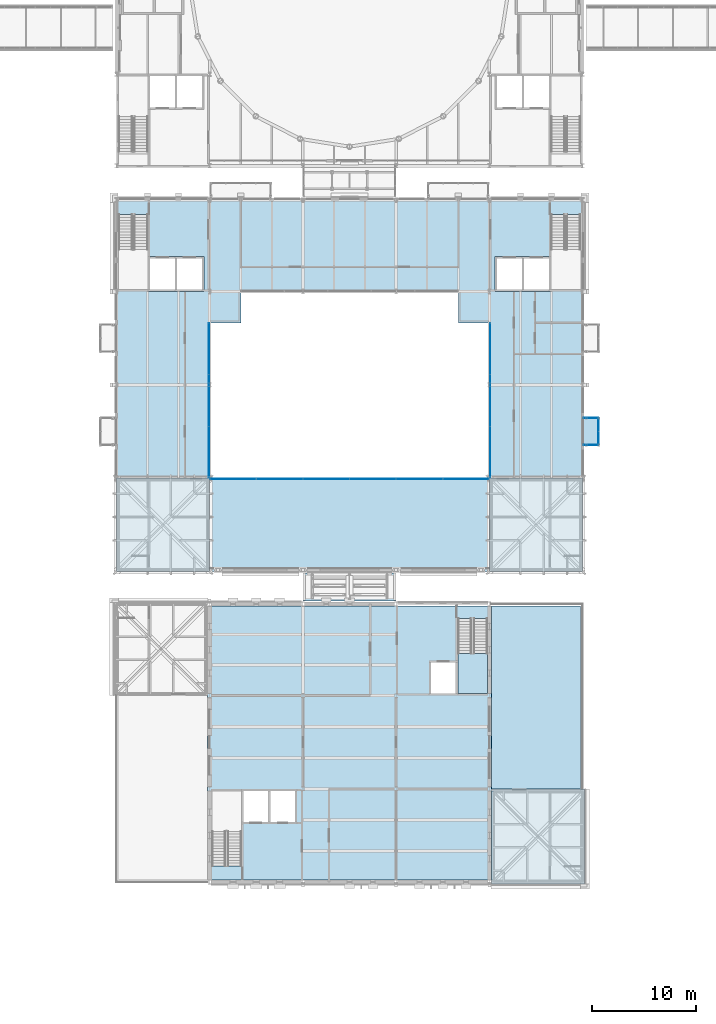
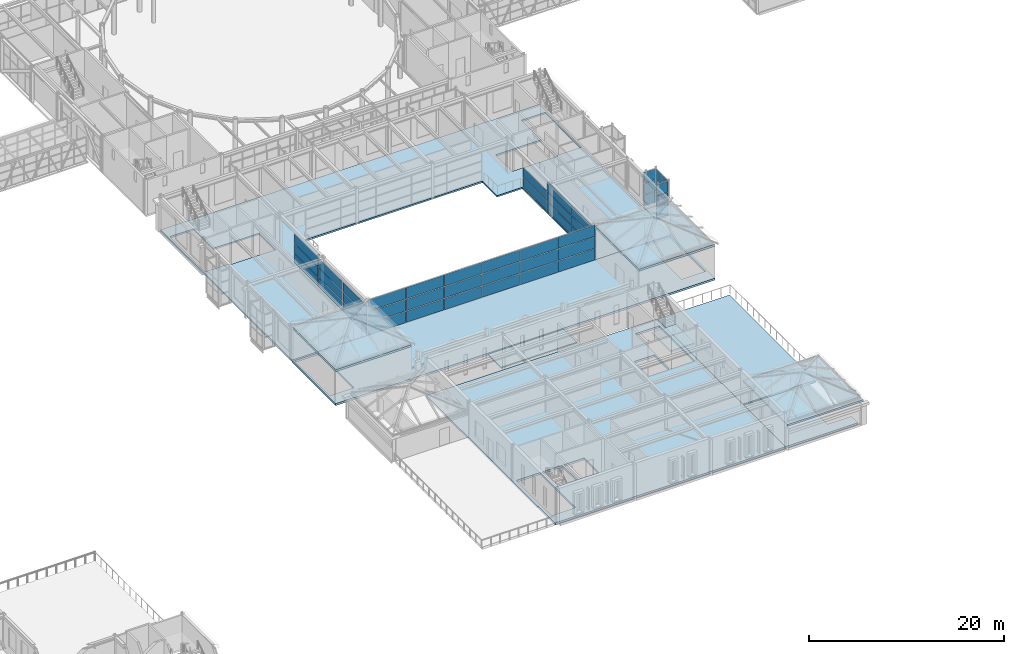
# One storey, part 77 of 149: 47 plates, 11 slabs, 7 elements without a shape of their own.
"""IFC4 building model written with IfcOpenShell, lengths in metres."""

from ifc_helpers import new_model, si_unit, direction, frame, origin, origin_2d, place, context, subcontext, project, spatial, polyline, rectangle, outline, extrude, material, layer, layer_set, type_object, element, aggregate, save


model = new_model("IFC4")

# Units and contexts
model_context = context("Model", 3, precision=1e-05, world=origin(), true_north=direction((0.0, 1.0)))
body_context = subcontext(model_context, "Body", "Model", "MODEL_VIEW")
ifc_project = project(units=[si_unit("LENGTHUNIT", "METRE"), si_unit("AREAUNIT", "SQUARE_METRE"), si_unit("VOLUMEUNIT", "CUBIC_METRE"), si_unit("PLANEANGLEUNIT", "RADIAN"), si_unit("MASSUNIT", "GRAM", prefix="KILO")], contexts=[model_context])

# Site, building, storey
site_placement = place(None, origin())
site = spatial("IfcSite", under=ifc_project, at=site_placement, CompositionType="ELEMENT")
building_placement = place(site_placement, origin())
building = spatial("IfcBuilding", under=site, at=building_placement, Name="Kallimachos Central Library", CompositionType="ELEMENT")
storey_placement = place(building_placement, frame((0.0, 0.0, 9.89990234375)))
storey = spatial("IfcBuildingStorey", under=building, at=storey_placement, Name="L02", CompositionType="ELEMENT", Elevation=9.89990234375)

# Curtain wall, plates
ifc_material_1 = material(Name="Aluminium and laminated glass", Category="aluminium")
curtain_wall_type_1 = type_object("IfcCurtainWallType", Name="Atrium glazed screen", PredefinedType="NOTDEFINED", material=ifc_material_1)
curtain_wall_1_placement = place(storey_placement, origin())
curtain_wall_1 = element("IfcCurtainWall", 1, at=curtain_wall_1_placement, inside=storey, type_object=curtain_wall_type_1, Name="L02 atrium screen S", PredefinedType="NOTDEFINED")
ifc_material_2 = material(Name="Laminated glass", Category="glass")
ifc_layer_1 = layer(ifc_material_2, 0.028076171875)
ifc_layer_set_1 = layer_set([ifc_layer_1], Name="Atrium screen glass panel")
plate_type_1 = type_object("IfcPlateType", Name="Atrium screen glass panel", PredefinedType="CURTAIN_PANEL", material=ifc_layer_set_1)
plate_1_placement = place(storey_placement, frame((76.764892578125, 56.919921875, 0.06005859375), z_axis=(0.0, 0.0, 1.0), x_axis=(1.0, 0.0, 0.0)))
plate_1 = element("IfcPlate", 2, at=plate_1_placement, type_object=plate_type_1, Name="CW panel 1.1", PredefinedType="CURTAIN_PANEL", context=body_context, shape_type="SweptSolid", body=[
    extrude(rectangle(XDim=4.409912109375, YDim=0.028076171875, at=origin_2d()), origin(), (0.0, 0.0, 1.0), 1.409912109375),
])
plate_2_placement = place(storey_placement, frame((76.764892578125, 56.919921875, 1.530029296875), z_axis=(0.0, 0.0, 1.0), x_axis=(1.0, 0.0, 0.0)))
plate_2 = element("IfcPlate", 3, at=plate_2_placement, type_object=plate_type_1, Name="CW panel 1.2", PredefinedType="CURTAIN_PANEL", context=body_context, shape_type="SweptSolid", body=[
    extrude(rectangle(XDim=4.409912109375, YDim=0.028076171875, at=origin_2d()), origin(), (0.0, 0.0, 1.0), 1.43994140625),
])
plate_3_placement = place(storey_placement, frame((76.764892578125, 56.919921875, 3.0302734375), z_axis=(0.0, 0.0, 1.0), x_axis=(1.0, 0.0, 0.0)))
plate_3 = element("IfcPlate", 4, at=plate_3_placement, type_object=plate_type_1, Name="CW panel 1.3", PredefinedType="CURTAIN_PANEL", context=body_context, shape_type="SweptSolid", body=[
    extrude(rectangle(XDim=4.409912109375, YDim=0.028076171875, at=origin_2d()), origin(), (0.0, 0.0, 1.0), 1.409912109375),
])
plate_4_placement = place(storey_placement, frame((81.25, 56.919921875, 0.06005859375), z_axis=(0.0, 0.0, 1.0), x_axis=(1.0, 0.0, 0.0)))
plate_4 = element("IfcPlate", 5, at=plate_4_placement, type_object=plate_type_1, Name="CW panel 2.1", PredefinedType="CURTAIN_PANEL", context=body_context, shape_type="SweptSolid", body=[
    extrude(rectangle(XDim=4.43994140625, YDim=0.028076171875, at=origin_2d()), origin(), (0.0, 0.0, 1.0), 1.409912109375),
])
plate_5_placement = place(storey_placement, frame((81.25, 56.919921875, 1.530029296875), z_axis=(0.0, 0.0, 1.0), x_axis=(1.0, 0.0, 0.0)))
plate_5 = element("IfcPlate", 6, at=plate_5_placement, type_object=plate_type_1, Name="CW panel 2.2", PredefinedType="CURTAIN_PANEL", context=body_context, shape_type="SweptSolid", body=[
    extrude(rectangle(XDim=4.43994140625, YDim=0.028076171875, at=origin_2d()), origin(), (0.0, 0.0, 1.0), 1.43994140625),
])
plate_6_placement = place(storey_placement, frame((81.25, 56.919921875, 3.0302734375), z_axis=(0.0, 0.0, 1.0), x_axis=(1.0, 0.0, 0.0)))
plate_6 = element("IfcPlate", 7, at=plate_6_placement, type_object=plate_type_1, Name="CW panel 2.3", PredefinedType="CURTAIN_PANEL", context=body_context, shape_type="SweptSolid", body=[
    extrude(rectangle(XDim=4.43994140625, YDim=0.028076171875, at=origin_2d()), origin(), (0.0, 0.0, 1.0), 1.409912109375),
])
plate_7_placement = place(storey_placement, frame((85.75, 56.919921875, 0.06005859375), z_axis=(0.0, 0.0, 1.0), x_axis=(1.0, 0.0, 0.0)))
plate_7 = element("IfcPlate", 8, at=plate_7_placement, type_object=plate_type_1, Name="CW panel 3.1", PredefinedType="CURTAIN_PANEL", context=body_context, shape_type="SweptSolid", body=[
    extrude(rectangle(XDim=4.43994140625, YDim=0.028076171875, at=origin_2d()), origin(), (0.0, 0.0, 1.0), 1.409912109375),
])
plate_8_placement = place(storey_placement, frame((85.75, 56.919921875, 1.530029296875), z_axis=(0.0, 0.0, 1.0), x_axis=(1.0, 0.0, 0.0)))
plate_8 = element("IfcPlate", 9, at=plate_8_placement, type_object=plate_type_1, Name="CW panel 3.2", PredefinedType="CURTAIN_PANEL", context=body_context, shape_type="SweptSolid", body=[
    extrude(rectangle(XDim=4.43994140625, YDim=0.028076171875, at=origin_2d()), origin(), (0.0, 0.0, 1.0), 1.43994140625),
])
plate_9_placement = place(storey_placement, frame((85.75, 56.919921875, 3.0302734375), z_axis=(0.0, 0.0, 1.0), x_axis=(1.0, 0.0, 0.0)))
plate_9 = element("IfcPlate", 10, at=plate_9_placement, type_object=plate_type_1, Name="CW panel 3.3", PredefinedType="CURTAIN_PANEL", context=body_context, shape_type="SweptSolid", body=[
    extrude(rectangle(XDim=4.43994140625, YDim=0.028076171875, at=origin_2d()), origin(), (0.0, 0.0, 1.0), 1.409912109375),
])
plate_10_placement = place(storey_placement, frame((90.25, 56.919921875, 0.06005859375), z_axis=(0.0, 0.0, 1.0), x_axis=(1.0, 0.0, 0.0)))
plate_10 = element("IfcPlate", 11, at=plate_10_placement, type_object=plate_type_1, Name="CW panel 4.1", PredefinedType="CURTAIN_PANEL", context=body_context, shape_type="SweptSolid", body=[
    extrude(rectangle(XDim=4.43994140625, YDim=0.028076171875, at=origin_2d()), origin(), (0.0, 0.0, 1.0), 1.409912109375),
])
plate_11_placement = place(storey_placement, frame((90.25, 56.919921875, 1.530029296875), z_axis=(0.0, 0.0, 1.0), x_axis=(1.0, 0.0, 0.0)))
plate_11 = element("IfcPlate", 12, at=plate_11_placement, type_object=plate_type_1, Name="CW panel 4.2", PredefinedType="CURTAIN_PANEL", context=body_context, shape_type="SweptSolid", body=[
    extrude(rectangle(XDim=4.43994140625, YDim=0.028076171875, at=origin_2d()), origin(), (0.0, 0.0, 1.0), 1.43994140625),
])
plate_12_placement = place(storey_placement, frame((90.25, 56.919921875, 3.0302734375), z_axis=(0.0, 0.0, 1.0), x_axis=(1.0, 0.0, 0.0)))
plate_12 = element("IfcPlate", 13, at=plate_12_placement, type_object=plate_type_1, Name="CW panel 4.3", PredefinedType="CURTAIN_PANEL", context=body_context, shape_type="SweptSolid", body=[
    extrude(rectangle(XDim=4.43994140625, YDim=0.028076171875, at=origin_2d()), origin(), (0.0, 0.0, 1.0), 1.409912109375),
])
plate_13_placement = place(storey_placement, frame((94.75, 56.919921875, 0.06005859375), z_axis=(0.0, 0.0, 1.0), x_axis=(1.0, 0.0, 0.0)))
plate_13 = element("IfcPlate", 14, at=plate_13_placement, type_object=plate_type_1, Name="CW panel 5.1", PredefinedType="CURTAIN_PANEL", context=body_context, shape_type="SweptSolid", body=[
    extrude(rectangle(XDim=4.43994140625, YDim=0.028076171875, at=origin_2d()), origin(), (0.0, 0.0, 1.0), 1.409912109375),
])
plate_14_placement = place(storey_placement, frame((94.75, 56.919921875, 1.530029296875), z_axis=(0.0, 0.0, 1.0), x_axis=(1.0, 0.0, 0.0)))
plate_14 = element("IfcPlate", 15, at=plate_14_placement, type_object=plate_type_1, Name="CW panel 5.2", PredefinedType="CURTAIN_PANEL", context=body_context, shape_type="SweptSolid", body=[
    extrude(rectangle(XDim=4.43994140625, YDim=0.028076171875, at=origin_2d()), origin(), (0.0, 0.0, 1.0), 1.43994140625),
])
plate_15_placement = place(storey_placement, frame((94.75, 56.919921875, 3.0302734375), z_axis=(0.0, 0.0, 1.0), x_axis=(1.0, 0.0, 0.0)))
plate_15 = element("IfcPlate", 16, at=plate_15_placement, type_object=plate_type_1, Name="CW panel 5.3", PredefinedType="CURTAIN_PANEL", context=body_context, shape_type="SweptSolid", body=[
    extrude(rectangle(XDim=4.43994140625, YDim=0.028076171875, at=origin_2d()), origin(), (0.0, 0.0, 1.0), 1.409912109375),
])
plate_16_placement = place(storey_placement, frame((99.235107421875, 56.919921875, 0.06005859375), z_axis=(0.0, 0.0, 1.0), x_axis=(1.0, 0.0, 0.0)))
plate_16 = element("IfcPlate", 17, at=plate_16_placement, type_object=plate_type_1, Name="CW panel 6.1", PredefinedType="CURTAIN_PANEL", context=body_context, shape_type="SweptSolid", body=[
    extrude(rectangle(XDim=4.409912109375, YDim=0.028076171875, at=origin_2d()), origin(), (0.0, 0.0, 1.0), 1.409912109375),
])
plate_17_placement = place(storey_placement, frame((99.235107421875, 56.919921875, 1.530029296875), z_axis=(0.0, 0.0, 1.0), x_axis=(1.0, 0.0, 0.0)))
plate_17 = element("IfcPlate", 18, at=plate_17_placement, type_object=plate_type_1, Name="CW panel 6.2", PredefinedType="CURTAIN_PANEL", context=body_context, shape_type="SweptSolid", body=[
    extrude(rectangle(XDim=4.409912109375, YDim=0.028076171875, at=origin_2d()), origin(), (0.0, 0.0, 1.0), 1.43994140625),
])
plate_18_placement = place(storey_placement, frame((99.235107421875, 56.919921875, 3.0302734375), z_axis=(0.0, 0.0, 1.0), x_axis=(1.0, 0.0, 0.0)))
plate_18 = element("IfcPlate", 19, at=plate_18_placement, type_object=plate_type_1, Name="CW panel 6.3", PredefinedType="CURTAIN_PANEL", context=body_context, shape_type="SweptSolid", body=[
    extrude(rectangle(XDim=4.409912109375, YDim=0.028076171875, at=origin_2d()), origin(), (0.0, 0.0, 1.0), 1.409912109375),
])
aggregate(curtain_wall_1, [plate_1, plate_2, plate_3, plate_4, plate_5, plate_6, plate_7, plate_8, plate_9, plate_10, plate_11, plate_12, plate_13, plate_14, plate_15, plate_16, plate_17, plate_18])

curtain_wall_2_placement = place(storey_placement, origin())
curtain_wall_2 = element("IfcCurtainWall", 20, at=curtain_wall_2_placement, inside=storey, type_object=curtain_wall_type_1, Name="L02 atrium screen W", PredefinedType="NOTDEFINED")
plate_19_placement = place(storey_placement, frame((74.419921875, 59.514892578125, 0.06005859375), z_axis=(0.0, 0.0, 1.0), x_axis=(0.0, 1.0, 0.0)))
plate_19 = element("IfcPlate", 21, at=plate_19_placement, type_object=plate_type_1, Name="CW panel 1.1", PredefinedType="CURTAIN_PANEL", context=body_context, shape_type="SweptSolid", body=[
    extrude(rectangle(XDim=4.909912109375, YDim=0.028076171875, at=origin_2d()), origin(), (0.0, 0.0, 1.0), 1.159912109375),
])
plate_20_placement = place(storey_placement, frame((74.419921875, 59.514892578125, 1.280029296875), z_axis=(0.0, 0.0, 1.0), x_axis=(0.0, 1.0, 0.0)))
plate_20 = element("IfcPlate", 22, at=plate_20_placement, type_object=plate_type_1, Name="CW panel 1.2", PredefinedType="CURTAIN_PANEL", context=body_context, shape_type="SweptSolid", body=[
    extrude(rectangle(XDim=4.909912109375, YDim=0.028076171875, at=origin_2d()), origin(), (0.0, 0.0, 1.0), 1.18994140625),
])
plate_21_placement = place(storey_placement, frame((74.419921875, 59.514892578125, 2.5302734375), z_axis=(0.0, 0.0, 1.0), x_axis=(0.0, 1.0, 0.0)))
plate_21 = element("IfcPlate", 23, at=plate_21_placement, type_object=plate_type_1, Name="CW panel 1.3", PredefinedType="CURTAIN_PANEL", context=body_context, shape_type="SweptSolid", body=[
    extrude(rectangle(XDim=4.909912109375, YDim=0.028076171875, at=origin_2d()), origin(), (0.0, 0.0, 1.0), 1.159912109375),
])
plate_22_placement = place(storey_placement, frame((74.419921875, 64.5, 0.06005859375), z_axis=(0.0, 0.0, 1.0), x_axis=(0.0, 1.0, 0.0)))
plate_22 = element("IfcPlate", 24, at=plate_22_placement, type_object=plate_type_1, Name="CW panel 2.1", PredefinedType="CURTAIN_PANEL", context=body_context, shape_type="SweptSolid", body=[
    extrude(rectangle(XDim=4.93994140625, YDim=0.028076171875, at=origin_2d()), origin(), (0.0, 0.0, 1.0), 1.159912109375),
])
plate_23_placement = place(storey_placement, frame((74.419921875, 64.5, 1.280029296875), z_axis=(0.0, 0.0, 1.0), x_axis=(0.0, 1.0, 0.0)))
plate_23 = element("IfcPlate", 25, at=plate_23_placement, type_object=plate_type_1, Name="CW panel 2.2", PredefinedType="CURTAIN_PANEL", context=body_context, shape_type="SweptSolid", body=[
    extrude(rectangle(XDim=4.93994140625, YDim=0.028076171875, at=origin_2d()), origin(), (0.0, 0.0, 1.0), 1.18994140625),
])
plate_24_placement = place(storey_placement, frame((74.419921875, 64.5, 2.5302734375), z_axis=(0.0, 0.0, 1.0), x_axis=(0.0, 1.0, 0.0)))
plate_24 = element("IfcPlate", 26, at=plate_24_placement, type_object=plate_type_1, Name="CW panel 2.3", PredefinedType="CURTAIN_PANEL", context=body_context, shape_type="SweptSolid", body=[
    extrude(rectangle(XDim=4.93994140625, YDim=0.028076171875, at=origin_2d()), origin(), (0.0, 0.0, 1.0), 1.159912109375),
])
plate_25_placement = place(storey_placement, frame((74.419921875, 69.485107421875, 0.06005859375), z_axis=(0.0, 0.0, 1.0), x_axis=(0.0, 1.0, 0.0)))
plate_25 = element("IfcPlate", 27, at=plate_25_placement, type_object=plate_type_1, Name="CW panel 3.1", PredefinedType="CURTAIN_PANEL", context=body_context, shape_type="SweptSolid", body=[
    extrude(rectangle(XDim=4.909912109375, YDim=0.028076171875, at=origin_2d()), origin(), (0.0, 0.0, 1.0), 1.159912109375),
])
plate_26_placement = place(storey_placement, frame((74.419921875, 69.485107421875, 1.280029296875), z_axis=(0.0, 0.0, 1.0), x_axis=(0.0, 1.0, 0.0)))
plate_26 = element("IfcPlate", 28, at=plate_26_placement, type_object=plate_type_1, Name="CW panel 3.2", PredefinedType="CURTAIN_PANEL", context=body_context, shape_type="SweptSolid", body=[
    extrude(rectangle(XDim=4.909912109375, YDim=0.028076171875, at=origin_2d()), origin(), (0.0, 0.0, 1.0), 1.18994140625),
])
plate_27_placement = place(storey_placement, frame((74.419921875, 69.485107421875, 2.5302734375), z_axis=(0.0, 0.0, 1.0), x_axis=(0.0, 1.0, 0.0)))
plate_27 = element("IfcPlate", 29, at=plate_27_placement, type_object=plate_type_1, Name="CW panel 3.3", PredefinedType="CURTAIN_PANEL", context=body_context, shape_type="SweptSolid", body=[
    extrude(rectangle(XDim=4.909912109375, YDim=0.028076171875, at=origin_2d()), origin(), (0.0, 0.0, 1.0), 1.159912109375),
])
aggregate(curtain_wall_2, [plate_19, plate_20, plate_21, plate_22, plate_23, plate_24, plate_25, plate_26, plate_27])

curtain_wall_3_placement = place(storey_placement, origin())
curtain_wall_3 = element("IfcCurtainWall", 30, at=curtain_wall_3_placement, inside=storey, type_object=curtain_wall_type_1, Name="L02 atrium screen E", PredefinedType="NOTDEFINED")
plate_28_placement = place(storey_placement, frame((101.580078125, 59.514892578125, 0.06005859375), z_axis=(0.0, 0.0, 1.0), x_axis=(0.0, 1.0, 0.0)))
plate_28 = element("IfcPlate", 31, at=plate_28_placement, type_object=plate_type_1, Name="CW panel 1.1", PredefinedType="CURTAIN_PANEL", context=body_context, shape_type="SweptSolid", body=[
    extrude(rectangle(XDim=4.909912109375, YDim=0.028076171875, at=origin_2d()), origin(), (0.0, 0.0, 1.0), 1.1767578125),
])
plate_29_placement = place(storey_placement, frame((101.580078125, 59.514892578125, 1.296875), z_axis=(0.0, 0.0, 1.0), x_axis=(0.0, 1.0, 0.0)))
plate_29 = element("IfcPlate", 32, at=plate_29_placement, type_object=plate_type_1, Name="CW panel 1.2", PredefinedType="CURTAIN_PANEL", context=body_context, shape_type="SweptSolid", body=[
    extrude(rectangle(XDim=4.909912109375, YDim=0.028076171875, at=origin_2d()), origin(), (0.0, 0.0, 1.0), 1.206787109375),
])
plate_30_placement = place(storey_placement, frame((101.580078125, 59.514892578125, 2.5634765625), z_axis=(0.0, 0.0, 1.0), x_axis=(0.0, 1.0, 0.0)))
plate_30 = element("IfcPlate", 33, at=plate_30_placement, type_object=plate_type_1, Name="CW panel 1.3", PredefinedType="CURTAIN_PANEL", context=body_context, shape_type="SweptSolid", body=[
    extrude(rectangle(XDim=4.909912109375, YDim=0.028076171875, at=origin_2d()), origin(), (0.0, 0.0, 1.0), 1.1767578125),
])
plate_31_placement = place(storey_placement, frame((101.580078125, 64.5, 0.06005859375), z_axis=(0.0, 0.0, 1.0), x_axis=(0.0, 1.0, 0.0)))
plate_31 = element("IfcPlate", 34, at=plate_31_placement, type_object=plate_type_1, Name="CW panel 2.1", PredefinedType="CURTAIN_PANEL", context=body_context, shape_type="SweptSolid", body=[
    extrude(rectangle(XDim=4.93994140625, YDim=0.028076171875, at=origin_2d()), origin(), (0.0, 0.0, 1.0), 1.1767578125),
])
plate_32_placement = place(storey_placement, frame((101.580078125, 64.5, 1.296875), z_axis=(0.0, 0.0, 1.0), x_axis=(0.0, 1.0, 0.0)))
plate_32 = element("IfcPlate", 35, at=plate_32_placement, type_object=plate_type_1, Name="CW panel 2.2", PredefinedType="CURTAIN_PANEL", context=body_context, shape_type="SweptSolid", body=[
    extrude(rectangle(XDim=4.93994140625, YDim=0.028076171875, at=origin_2d()), origin(), (0.0, 0.0, 1.0), 1.206787109375),
])
plate_33_placement = place(storey_placement, frame((101.580078125, 64.5, 2.5634765625), z_axis=(0.0, 0.0, 1.0), x_axis=(0.0, 1.0, 0.0)))
plate_33 = element("IfcPlate", 36, at=plate_33_placement, type_object=plate_type_1, Name="CW panel 2.3", PredefinedType="CURTAIN_PANEL", context=body_context, shape_type="SweptSolid", body=[
    extrude(rectangle(XDim=4.93994140625, YDim=0.028076171875, at=origin_2d()), origin(), (0.0, 0.0, 1.0), 1.1767578125),
])
plate_34_placement = place(storey_placement, frame((101.580078125, 69.485107421875, 0.06005859375), z_axis=(0.0, 0.0, 1.0), x_axis=(0.0, 1.0, 0.0)))
plate_34 = element("IfcPlate", 37, at=plate_34_placement, type_object=plate_type_1, Name="CW panel 3.1", PredefinedType="CURTAIN_PANEL", context=body_context, shape_type="SweptSolid", body=[
    extrude(rectangle(XDim=4.909912109375, YDim=0.028076171875, at=origin_2d()), origin(), (0.0, 0.0, 1.0), 1.1767578125),
])
plate_35_placement = place(storey_placement, frame((101.580078125, 69.485107421875, 1.296875), z_axis=(0.0, 0.0, 1.0), x_axis=(0.0, 1.0, 0.0)))
plate_35 = element("IfcPlate", 38, at=plate_35_placement, type_object=plate_type_1, Name="CW panel 3.2", PredefinedType="CURTAIN_PANEL", context=body_context, shape_type="SweptSolid", body=[
    extrude(rectangle(XDim=4.909912109375, YDim=0.028076171875, at=origin_2d()), origin(), (0.0, 0.0, 1.0), 1.206787109375),
])
aggregate(curtain_wall_3, [plate_28, plate_29, plate_30, plate_31, plate_32, plate_33, plate_34, plate_35])

# Slabs
ifc_material_3 = material(Name="Composite slab C30/37 on steel deck", Category="concrete")
ifc_layer_2 = layer(ifc_material_3, 0.199951171875)
ifc_layer_set_2 = layer_set([ifc_layer_2], Name="Composite floor slab 200")
slab_type_1 = type_object("IfcSlabType", Name="Composite floor slab 200", PredefinedType="FLOOR", material=ifc_layer_set_2)
slab_1_placement = place(storey_placement, frame((0.0, 0.0, -0.199951171875)))
element("IfcSlab", 39, at=slab_1_placement, inside=storey, type_object=slab_type_1, Name="V4-SLB-L02-001", PredefinedType="FLOOR", context=body_context, shape_type="SweptSolid", body=[
    extrude(outline(polyline([(77.5, 75.0), (77.5, 72.0), (74.5, 72.0), (74.5, 57.0), (65.5, 57.0), (65.5, 84.0), (110.5, 84.0), (110.5, 57.0), (101.5, 57.0), (101.5, 72.0), (98.5, 72.0), (98.5, 75.0), (77.5, 75.0)]), holes=[polyline([(68.550048828125, 75.0), (73.949951171875, 75.0), (73.949951171875, 78.39990234375), (68.550048828125, 78.39990234375), (68.550048828125, 82.446044921875), (65.699951171875, 82.446044921875), (65.699951171875, 75.199951171875), (68.550048828125, 75.199951171875), (68.550048828125, 75.0)]), polyline([(110.300048828125, 82.446044921875), (107.449951171875, 82.446044921875), (107.449951171875, 78.39990234375), (102.050048828125, 78.39990234375), (102.050048828125, 75.0), (107.449951171875, 75.0), (107.449951171875, 75.199951171875), (110.300048828125, 75.199951171875), (110.300048828125, 82.446044921875)])]), origin(), (0.0, 0.0, 1.0), 0.199951171875),
])
ifc_material_4 = material(Name="Composite slab C30/37 on steel deck", Category="concrete")
ifc_layer_3 = layer(ifc_material_4, 0.25)
ifc_layer_set_3 = layer_set([ifc_layer_3], Name="Composite floor slab 250")
slab_type_2 = type_object("IfcSlabType", Name="Composite floor slab 250", PredefinedType="FLOOR", material=ifc_layer_set_3)
slab_2_placement = place(storey_placement, frame((0.0, 0.0, -0.25)))
element("IfcSlab", 40, at=slab_2_placement, inside=storey, type_object=slab_type_2, Name="V5-SLB-L02-001", PredefinedType="FLOOR", context=body_context, shape_type="SweptSolid", body=[
    extrude(outline(polyline([(74.300048828125, 44.64990234375), (101.699951171875, 44.64990234375), (101.699951171875, 18.199951171875), (74.300048828125, 18.199951171875), (74.300048828125, 44.64990234375)]), holes=[polyline([(74.699951171875, 19.553955078125), (77.550048828125, 19.553955078125), (77.550048828125, 26.800048828125), (74.699951171875, 26.800048828125), (74.699951171875, 19.553955078125)]), polyline([(77.75, 26.800048828125), (77.75, 23.800048828125), (80.14990234375, 23.800048828125), (80.14990234375, 26.800048828125), (77.75, 26.800048828125)]), polyline([(80.35009765625, 26.800048828125), (80.35009765625, 23.800048828125), (82.75, 23.800048828125), (82.75, 26.800048828125), (80.35009765625, 26.800048828125)]), polyline([(98.25, 39.199951171875), (95.85009765625, 39.199951171875), (95.85009765625, 36.199951171875), (98.25, 36.199951171875), (98.25, 39.199951171875)]), polyline([(101.300048828125, 36.199951171875), (101.300048828125, 43.446044921875), (98.449951171875, 43.446044921875), (98.449951171875, 36.199951171875), (101.300048828125, 36.199951171875)])]), origin(), (0.0, 0.0, 1.0), 0.25),
])
slab_3_placement = place(storey_placement, frame((0.0, 0.0, -0.25)))
element("IfcSlab", 41, at=slab_3_placement, inside=storey, type_object=slab_type_2, Name="V5-E arrival slab", PredefinedType="FLOOR", context=body_context, shape_type="SweptSolid", body=[
    extrude(outline(polyline([(110.300048828125, 18.199951171875), (101.699951171875, 18.199951171875), (101.699951171875, 26.800048828125), (107.449951171875, 26.800048828125), (107.449951171875, 19.553955078125), (110.300048828125, 19.553955078125), (110.300048828125, 18.199951171875)])), origin(), (0.0, 0.0, 1.0), 0.25),
])
ifc_material_5 = material(Name="Composite slab C30/37 on steel deck", Category="concrete")
ifc_layer_4 = layer(ifc_material_5, 0.199951171875)
ifc_layer_set_4 = layer_set([ifc_layer_4], Name="Head house roof slab 200")
slab_type_3 = type_object("IfcSlabType", Name="Head house roof slab 200", PredefinedType="ROOF", material=ifc_layer_set_4)
slab_4_placement = place(storey_placement, frame((0.0, 0.0, 2.800048828125)))
element("IfcSlab", 42, at=slab_4_placement, inside=storey, type_object=slab_type_3, Name="East stair head roof", PredefinedType="ROOF", context=body_context, shape_type="SweptSolid", body=[
    extrude(outline(polyline([(101.699951171875, 17.800048828125), (110.699951171875, 17.800048828125), (110.699951171875, 27.0), (101.699951171875, 27.0), (101.699951171875, 17.800048828125)])), origin(), (0.0, 0.0, 1.0), 0.199951171875),
])
ifc_material_6 = material(Name="Concrete C30/37", Category="concrete")
ifc_layer_5 = layer(ifc_material_6, 0.25)
ifc_layer_set_5 = layer_set([ifc_layer_5], Name="Head-house roof slab 250")
slab_type_4 = type_object("IfcSlabType", Name="Head-house roof slab 250", PredefinedType="ROOF", material=ifc_layer_set_5)
slab_5_placement = place(storey_placement, frame((0.0, 0.0, 4.0)))
element("IfcSlab", 43, at=slab_5_placement, inside=storey, type_object=slab_type_4, Name="V4-SLB-L02-003", PredefinedType="ROOF", context=body_context, shape_type="SweptSolid", body=[
    extrude(outline(polyline([(65.5, 48.0), (74.5, 48.0), (74.5, 57.0), (65.5, 57.0), (65.5, 48.0)])), origin(), (0.0, 0.0, 1.0), 0.25),
])
slab_6_placement = place(storey_placement, frame((0.0, 0.0, 4.0)))
element("IfcSlab", 44, at=slab_6_placement, inside=storey, type_object=slab_type_4, Name="V4-SLB-L02-004", PredefinedType="ROOF", context=body_context, shape_type="SweptSolid", body=[
    extrude(outline(polyline([(101.5, 48.0), (110.5, 48.0), (110.5, 57.0), (101.5, 57.0), (101.5, 48.0)])), origin(), (0.0, 0.0, 1.0), 0.25),
])
ifc_material_7 = material(Name="Composite slab C30/37 on steel deck", Category="concrete")
ifc_layer_6 = layer(ifc_material_7, 0.14990234375)
ifc_layer_set_6 = layer_set([ifc_layer_6], Name="Link roof slab 150")
slab_type_5 = type_object("IfcSlabType", Name="Link roof slab 150", PredefinedType="ROOF", material=ifc_layer_set_6)
slab_7_placement = place(storey_placement, frame((0.0, 0.0, -0.14990234375)))
element("IfcSlab", 45, at=slab_7_placement, inside=storey, type_object=slab_type_5, Name="Stacks Link roof", PredefinedType="ROOF", context=body_context, shape_type="SweptSolid", body=[
    extrude(outline(polyline([(83.5, 45.14990234375), (92.5, 45.14990234375), (92.5, 47.85009765625), (83.5, 47.85009765625), (83.5, 45.14990234375)])), origin(), (0.0, 0.0, 1.0), 0.14990234375),
])
ifc_material_8 = material(Name="Composite slab C30/37 on steel deck", Category="concrete")
ifc_layer_7 = layer(ifc_material_8, 0.25)
ifc_layer_set_7 = layer_set([ifc_layer_7], Name="Roof garden slab 250")
slab_type_6 = type_object("IfcSlabType", Name="Roof garden slab 250", PredefinedType="ROOF", material=ifc_layer_set_7)
slab_8_placement = place(storey_placement, frame((0.0, 0.0, -0.25)))
element("IfcSlab", 46, at=slab_8_placement, inside=storey, type_object=slab_type_6, Name="V4-SLB-L02-002", PredefinedType="ROOF", context=body_context, shape_type="SweptSolid", body=[
    extrude(outline(polyline([(65.5, 48.0), (65.5, 57.0), (110.5, 57.0), (110.5, 48.0), (65.5, 48.0)]), holes=[polyline([(65.699951171875, 56.800048828125), (65.699951171875, 49.553955078125), (68.550048828125, 49.553955078125), (68.550048828125, 56.800048828125), (65.699951171875, 56.800048828125)]), polyline([(110.300048828125, 56.800048828125), (107.449951171875, 56.800048828125), (107.449951171875, 49.553955078125), (110.300048828125, 49.553955078125), (110.300048828125, 56.800048828125)])]), origin(), (0.0, 0.0, 1.0), 0.25),
])
ifc_material_9 = material(Name="Composite slab C30/37 on steel deck", Category="concrete")
ifc_layer_8 = layer(ifc_material_9, 0.300048828125)
ifc_layer_set_8 = layer_set([ifc_layer_8], Name="Roof garden slab 300")
slab_type_7 = type_object("IfcSlabType", Name="Roof garden slab 300", PredefinedType="ROOF", material=ifc_layer_set_8)
slab_9_placement = place(storey_placement, frame((0.0, 0.0, -0.2998046875)))
element("IfcSlab", 47, at=slab_9_placement, inside=storey, type_object=slab_type_7, Name="East roof garden slab", PredefinedType="ROOF", context=body_context, shape_type="SweptSolid", body=[
    extrude(outline(polyline([(101.699951171875, 27.0), (110.300048828125, 27.0), (110.300048828125, 44.64990234375), (101.699951171875, 44.64990234375), (101.699951171875, 27.0)])), origin(), (0.0, 0.0, 1.0), 0.2998046875),
])

# Stair, slab
ifc_material_10 = material(Name="Concrete C30/37", Category="concrete")
stair_type = type_object("IfcStairType", Name="Concrete stair 1350", PredefinedType="HALF_TURN_STAIR", material=ifc_material_10)
stair_placement = place(storey_placement, origin())
stair = element("IfcStair", 48, at=stair_placement, inside=storey, type_object=stair_type, Name="L02 stair ST14", PredefinedType="HALF_TURN_STAIR")
ifc_material_11 = material(Name="Concrete C30/37", Category="concrete")
ifc_layer_9 = layer(ifc_material_11, 0.199951171875)
ifc_layer_set_9 = layer_set([ifc_layer_9], Name="Stair landing slab 200")
slab_type_8 = type_object("IfcSlabType", Name="Stair landing slab 200", PredefinedType="LANDING", material=ifc_layer_set_9)
slab_10_placement = place(storey_placement, frame((0.0, 0.0, 2.050048828125)))
slab_10 = element("IfcSlab", 49, at=slab_10_placement, type_object=slab_type_8, Name="ST14 landing 1", PredefinedType="LANDING", context=body_context, shape_type="SweptSolid", body=[
    extrude(outline(polyline([(98.449951171875, 40.090087890625), (98.449951171875, 36.199951171875), (101.300048828125, 36.199951171875), (101.300048828125, 40.090087890625), (98.449951171875, 40.090087890625)])), origin(), (0.0, 0.0, 1.0), 0.199951171875),
])
aggregate(stair, [slab_10])

# Slab
ifc_material_12 = material(Name="Composite slab C30/37 on steel deck", Category="concrete")
ifc_layer_10 = layer(ifc_material_12, 0.199951171875)
ifc_layer_set_10 = layer_set([ifc_layer_10], Name="Tribune bay floor slab 200")
slab_type_9 = type_object("IfcSlabType", Name="Tribune bay floor slab 200", PredefinedType="FLOOR", material=ifc_layer_set_10)
slab_11_placement = place(storey_placement, frame((0.0, 0.0, -0.199951171875)))
element("IfcSlab", 50, at=slab_11_placement, inside=storey, type_object=slab_type_9, Name="Tribune bay E1 floor L02", PredefinedType="FLOOR", context=body_context, shape_type="SweptSolid", body=[
    extrude(outline(polyline([(110.550048828125, 60.199951171875), (110.550048828125, 62.800048828125), (112.050048828125, 62.800048828125), (112.050048828125, 60.199951171875), (110.550048828125, 60.199951171875)])), origin(), (0.0, 0.0, 1.0), 0.199951171875),
])

# Curtain wall, plates
ifc_material_13 = material(Name="Aluminium and laminated glass", Category="aluminium")
curtain_wall_type_2 = type_object("IfcCurtainWallType", Name="Tribune bay glazed screen", PredefinedType="NOTDEFINED", material=ifc_material_13)
curtain_wall_4_placement = place(storey_placement, origin())
curtain_wall_4 = element("IfcCurtainWall", 51, at=curtain_wall_4_placement, inside=storey, type_object=curtain_wall_type_2, Name="Tribune bay E1 L02 front", PredefinedType="NOTDEFINED")
ifc_material_14 = material(Name="Laminated glass", Category="glass")
ifc_layer_11 = layer(ifc_material_14, 0.028076171875)
ifc_layer_set_11 = layer_set([ifc_layer_11], Name="Tribune bay glass panel")
plate_type_2 = type_object("IfcPlateType", Name="Tribune bay glass panel", PredefinedType="CURTAIN_PANEL", material=ifc_layer_set_11)
plate_36_placement = place(storey_placement, frame((112.050048828125, 60.864990234375, 0.06005859375), z_axis=(0.0, 0.0, 1.0), x_axis=(0.0, 1.0, 0.0)))
plate_36 = element("IfcPlate", 52, at=plate_36_placement, type_object=plate_type_2, Name="CW panel 1.1", PredefinedType="CURTAIN_PANEL", context=body_context, shape_type="SweptSolid", body=[
    extrude(rectangle(XDim=1.2099609375, YDim=0.028076171875, at=origin_2d()), origin(), (0.0, 0.0, 1.0), 1.34326171875),
])
plate_37_placement = place(storey_placement, frame((112.050048828125, 60.864990234375, 1.46337890625), z_axis=(0.0, 0.0, 1.0), x_axis=(0.0, 1.0, 0.0)))
plate_37 = element("IfcPlate", 53, at=plate_37_placement, type_object=plate_type_2, Name="CW panel 1.2", PredefinedType="CURTAIN_PANEL", context=body_context, shape_type="SweptSolid", body=[
    extrude(rectangle(XDim=1.2099609375, YDim=0.028076171875, at=origin_2d()), origin(), (0.0, 0.0, 1.0), 1.373291015625),
])
plate_38_placement = place(storey_placement, frame((112.050048828125, 60.864990234375, 2.896728515625), z_axis=(0.0, 0.0, 1.0), x_axis=(0.0, 1.0, 0.0)))
plate_38 = element("IfcPlate", 54, at=plate_38_placement, type_object=plate_type_2, Name="CW panel 1.3", PredefinedType="CURTAIN_PANEL", context=body_context, shape_type="SweptSolid", body=[
    extrude(rectangle(XDim=1.2099609375, YDim=0.028076171875, at=origin_2d()), origin(), (0.0, 0.0, 1.0), 1.34326171875),
])
plate_39_placement = place(storey_placement, frame((112.050048828125, 62.135009765625, 0.06005859375), z_axis=(0.0, 0.0, 1.0), x_axis=(0.0, 1.0, 0.0)))
plate_39 = element("IfcPlate", 55, at=plate_39_placement, type_object=plate_type_2, Name="CW panel 2.1", PredefinedType="CURTAIN_PANEL", context=body_context, shape_type="SweptSolid", body=[
    extrude(rectangle(XDim=1.2099609375, YDim=0.028076171875, at=origin_2d()), origin(), (0.0, 0.0, 1.0), 1.34326171875),
])
plate_40_placement = place(storey_placement, frame((112.050048828125, 62.135009765625, 1.46337890625), z_axis=(0.0, 0.0, 1.0), x_axis=(0.0, 1.0, 0.0)))
plate_40 = element("IfcPlate", 56, at=plate_40_placement, type_object=plate_type_2, Name="CW panel 2.2", PredefinedType="CURTAIN_PANEL", context=body_context, shape_type="SweptSolid", body=[
    extrude(rectangle(XDim=1.2099609375, YDim=0.028076171875, at=origin_2d()), origin(), (0.0, 0.0, 1.0), 1.373291015625),
])
plate_41_placement = place(storey_placement, frame((112.050048828125, 62.135009765625, 2.896728515625), z_axis=(0.0, 0.0, 1.0), x_axis=(0.0, 1.0, 0.0)))
plate_41 = element("IfcPlate", 57, at=plate_41_placement, type_object=plate_type_2, Name="CW panel 2.3", PredefinedType="CURTAIN_PANEL", context=body_context, shape_type="SweptSolid", body=[
    extrude(rectangle(XDim=1.2099609375, YDim=0.028076171875, at=origin_2d()), origin(), (0.0, 0.0, 1.0), 1.34326171875),
])
aggregate(curtain_wall_4, [plate_36, plate_37, plate_38, plate_39, plate_40, plate_41])

curtain_wall_5_placement = place(storey_placement, origin())
curtain_wall_5 = element("IfcCurtainWall", 58, at=curtain_wall_5_placement, inside=storey, type_object=curtain_wall_type_2, Name="Tribune bay E1 L02 return 1", PredefinedType="NOTDEFINED")
plate_42_placement = place(storey_placement, frame((111.300048828125, 60.199951171875, 0.06005859375), z_axis=(0.0, 0.0, 1.0), x_axis=(1.0, 0.0, 0.0)))
plate_42 = element("IfcPlate", 59, at=plate_42_placement, type_object=plate_type_2, Name="CW panel 1.1", PredefinedType="CURTAIN_PANEL", context=body_context, shape_type="SweptSolid", body=[
    extrude(rectangle(XDim=1.3798828125, YDim=0.028076171875, at=origin_2d()), origin(), (0.0, 0.0, 1.0), 1.34326171875),
])
plate_43_placement = place(storey_placement, frame((111.300048828125, 60.199951171875, 1.46337890625), z_axis=(0.0, 0.0, 1.0), x_axis=(1.0, 0.0, 0.0)))
plate_43 = element("IfcPlate", 60, at=plate_43_placement, type_object=plate_type_2, Name="CW panel 1.2", PredefinedType="CURTAIN_PANEL", context=body_context, shape_type="SweptSolid", body=[
    extrude(rectangle(XDim=1.3798828125, YDim=0.028076171875, at=origin_2d()), origin(), (0.0, 0.0, 1.0), 1.373291015625),
])
plate_44_placement = place(storey_placement, frame((111.300048828125, 60.199951171875, 2.896728515625), z_axis=(0.0, 0.0, 1.0), x_axis=(1.0, 0.0, 0.0)))
plate_44 = element("IfcPlate", 61, at=plate_44_placement, type_object=plate_type_2, Name="CW panel 1.3", PredefinedType="CURTAIN_PANEL", context=body_context, shape_type="SweptSolid", body=[
    extrude(rectangle(XDim=1.3798828125, YDim=0.028076171875, at=origin_2d()), origin(), (0.0, 0.0, 1.0), 1.34326171875),
])
aggregate(curtain_wall_5, [plate_42, plate_43, plate_44])

curtain_wall_6_placement = place(storey_placement, origin())
curtain_wall_6 = element("IfcCurtainWall", 62, at=curtain_wall_6_placement, inside=storey, type_object=curtain_wall_type_2, Name="Tribune bay E1 L02 return 2", PredefinedType="NOTDEFINED")
plate_45_placement = place(storey_placement, frame((111.300048828125, 62.800048828125, 0.06005859375), z_axis=(0.0, 0.0, 1.0), x_axis=(1.0, 0.0, 0.0)))
plate_45 = element("IfcPlate", 63, at=plate_45_placement, type_object=plate_type_2, Name="CW panel 1.1", PredefinedType="CURTAIN_PANEL", context=body_context, shape_type="SweptSolid", body=[
    extrude(rectangle(XDim=1.3798828125, YDim=0.028076171875, at=origin_2d()), origin(), (0.0, 0.0, 1.0), 1.34326171875),
])
plate_46_placement = place(storey_placement, frame((111.300048828125, 62.800048828125, 1.46337890625), z_axis=(0.0, 0.0, 1.0), x_axis=(1.0, 0.0, 0.0)))
plate_46 = element("IfcPlate", 64, at=plate_46_placement, type_object=plate_type_2, Name="CW panel 1.2", PredefinedType="CURTAIN_PANEL", context=body_context, shape_type="SweptSolid", body=[
    extrude(rectangle(XDim=1.3798828125, YDim=0.028076171875, at=origin_2d()), origin(), (0.0, 0.0, 1.0), 1.373291015625),
])
plate_47_placement = place(storey_placement, frame((111.300048828125, 62.800048828125, 2.896728515625), z_axis=(0.0, 0.0, 1.0), x_axis=(1.0, 0.0, 0.0)))
plate_47 = element("IfcPlate", 65, at=plate_47_placement, type_object=plate_type_2, Name="CW panel 1.3", PredefinedType="CURTAIN_PANEL", context=body_context, shape_type="SweptSolid", body=[
    extrude(rectangle(XDim=1.3798828125, YDim=0.028076171875, at=origin_2d()), origin(), (0.0, 0.0, 1.0), 1.34326171875),
])
aggregate(curtain_wall_6, [plate_45, plate_46, plate_47])

save(model, "model.ifc")
